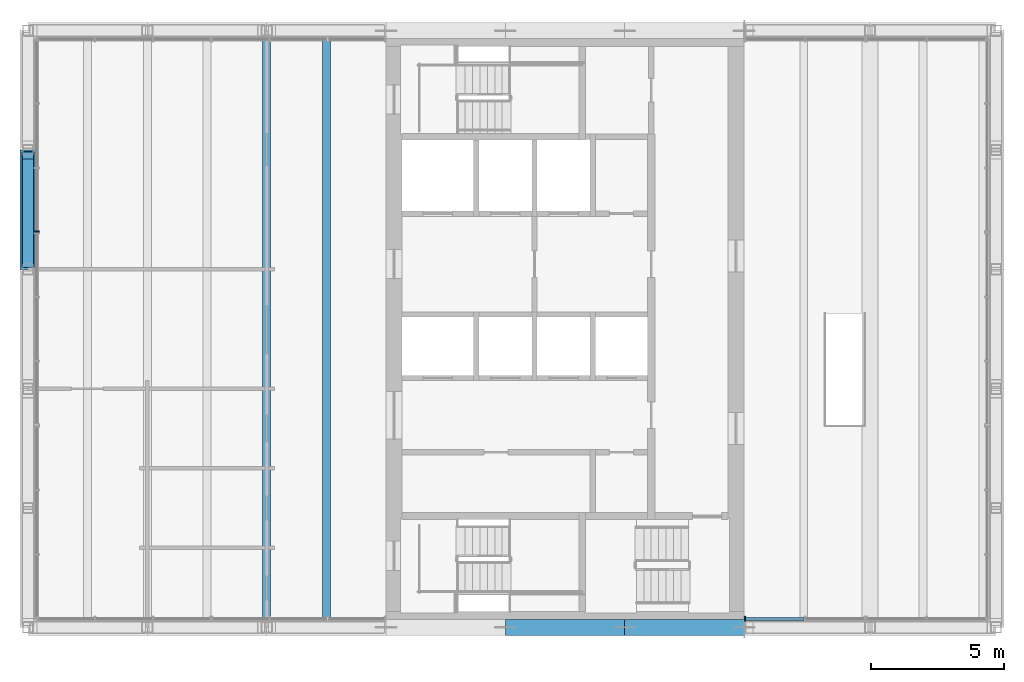
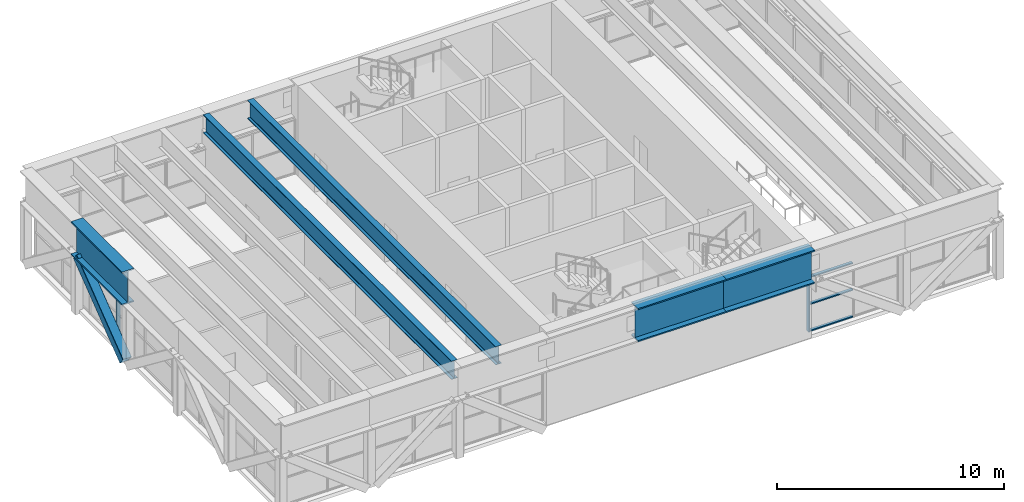
# One storey, part 2 of 12: 9 members, 2 beams, 2 elements without a shape of their own.
"""IFC4 building model written with IfcOpenShell, lengths in metres."""

from ifc_helpers import new_model, si_unit, direction, frame, origin, origin_2d, place, context, subcontext, project, spatial, rectangle, hollow_rectangle, i_section, extrude, material, material_profile, profile_set, type_object, element, aggregate, save


model = new_model("IFC4")

# Units and contexts
model_context = context("Model", 3, precision=1e-05, world=origin(), true_north=direction((0.0, 1.0)))
body_context = subcontext(model_context, "Body", "Model", "MODEL_VIEW")
ifc_project = project(units=[si_unit("LENGTHUNIT", "METRE"), si_unit("AREAUNIT", "SQUARE_METRE"), si_unit("VOLUMEUNIT", "CUBIC_METRE"), si_unit("PLANEANGLEUNIT", "RADIAN"), si_unit("MASSUNIT", "GRAM", prefix="KILO")], contexts=[model_context])

# Site, building, storey
site_placement = place(None, origin())
site = spatial("IfcSite", under=ifc_project, at=site_placement, CompositionType="ELEMENT")
building_placement = place(site_placement, origin())
building = spatial("IfcBuilding", under=site, at=building_placement, Name="Sennacour Bend Tower", CompositionType="ELEMENT")
storey_placement = place(building_placement, frame((0.0, 0.0, 350.5)))
storey = spatial("IfcBuildingStorey", under=building, at=storey_placement, Name="L80", CompositionType="ELEMENT", Elevation=350.5)

# Curtain wall, member
ifc_material_1 = material(Name="Bronze anodised aluminium curtain wall with clear glass", Category="aluminium")
curtain_wall_type = type_object("IfcCurtainWallType", Name="CURTAIN WALL LOUNGE", PredefinedType="NOTDEFINED", material=ifc_material_1)
curtain_wall_1_placement = place(storey_placement, origin())
curtain_wall_1 = element("IfcCurtainWall", 1, at=curtain_wall_1_placement, inside=storey, type_object=curtain_wall_type, Name="Sky lounge glass wall L80", PredefinedType="NOTDEFINED")
ifc_material_2 = material(Name="Aluminium 6063-T6", Category="aluminium")
ifc_material_profile_1 = material_profile(ifc_material_2, rectangle(XDim=0.199951171875, YDim=0.06005859375, at=origin_2d()), Name="Aluminium 6063-T6", Category="aluminium")
ifc_profile_set_1 = profile_set([ifc_material_profile_1], Name="Aluminium 6063-T6")
member_type_1 = type_object("IfcMemberType", Name="CW-MULLION-200X60", PredefinedType="MULLION", material=ifc_profile_set_1)
member_1_placement = place(storey_placement, frame((40.824951171875, 14.921630859375, 0.0), z_axis=(0.0, 0.0, 1.0), x_axis=(-1.0, 0.0, 0.0)))
member_1 = element("IfcMember", 2, at=member_1_placement, type_object=member_type_1, Name="GW4 curtain wall mullion 1", PredefinedType="MULLION", context=body_context, shape_type="SweptSolid", body=[
    extrude(rectangle(XDim=0.199951171875, YDim=0.06005859375, at=origin_2d()), origin(), (0.0, 0.0, 1.0), 2.9501953125),
])
aggregate(curtain_wall_1, [member_1])

# Curtain wall, members
curtain_wall_2_placement = place(storey_placement, origin())
curtain_wall_2 = element("IfcCurtainWall", 3, at=curtain_wall_2_placement, inside=storey, type_object=curtain_wall_type, Name="Sky lounge glass wall L80", PredefinedType="NOTDEFINED")
member_2_placement = place(storey_placement, frame((67.531005859375, 0.324951171875, 0.0), z_axis=(0.0, 0.0, 1.0), x_axis=(0.0, 1.0, 0.0)))
member_2 = element("IfcMember", 4, at=member_2_placement, type_object=member_type_1, Name="GW4 curtain wall mullion 1", PredefinedType="MULLION", context=body_context, shape_type="SweptSolid", body=[
    extrude(rectangle(XDim=0.199951171875, YDim=0.06005859375, at=origin_2d()), origin(), (0.0, 0.0, 1.0), 2.9501953125),
])
ifc_material_profile_2 = material_profile(ifc_material_2, rectangle(XDim=0.14990234375, YDim=0.06005859375, at=origin_2d()), Name="Aluminium 6063-T6", Category="aluminium")
ifc_profile_set_2 = profile_set([ifc_material_profile_2], Name="Aluminium 6063-T6")
member_type_2 = type_object("IfcMemberType", Name="CW-TRANSOM-150X60", PredefinedType="USERDEFINED", material=ifc_profile_set_2)
member_3_placement = place(storey_placement, frame((67.56103515625, 0.324951171875, 0.030029296875), z_axis=(1.0, 0.0, 0.0), x_axis=(0.0, 1.0, 0.0)))
member_3 = element("IfcMember", 5, at=member_3_placement, type_object=member_type_2, Name="GW4 curtain wall transom 1.1", ObjectType="TRANSOM", PredefinedType="USERDEFINED", context=body_context, shape_type="SweptSolid", body=[
    extrude(rectangle(XDim=0.14990234375, YDim=0.06005859375, at=origin_2d()), origin(), (0.0, 0.0, 1.0), 2.203369140625),
])
member_4_placement = place(storey_placement, frame((67.56103515625, 0.324951171875, 1.47509765625), z_axis=(1.0, 0.0, 0.0), x_axis=(0.0, 1.0, 0.0)))
member_4 = element("IfcMember", 6, at=member_4_placement, type_object=member_type_2, Name="GW4 curtain wall transom 1.2", ObjectType="TRANSOM", PredefinedType="USERDEFINED", context=body_context, shape_type="SweptSolid", body=[
    extrude(rectangle(XDim=0.14990234375, YDim=0.06005859375, at=origin_2d()), origin(), (0.0, 0.0, 1.0), 2.203369140625),
])
member_5_placement = place(storey_placement, frame((67.56103515625, 0.324951171875, 2.920166015625), z_axis=(1.0, 0.0, 0.0), x_axis=(0.0, 1.0, 0.0)))
member_5 = element("IfcMember", 7, at=member_5_placement, type_object=member_type_2, Name="GW4 curtain wall transom 1.3", ObjectType="TRANSOM", PredefinedType="USERDEFINED", context=body_context, shape_type="SweptSolid", body=[
    extrude(rectangle(XDim=0.14990234375, YDim=0.06005859375, at=origin_2d()), origin(), (0.0, 0.0, 1.0), 2.203369140625),
])
aggregate(curtain_wall_2, [member_2, member_3, member_4, member_5])

# Beams
ifc_material_3 = material(Name="Steel ASTM A992 Grade 50", Category="steel")
ifc_material_profile_3 = material_profile(ifc_material_3, i_section(OverallWidth=0.300048828125, OverallDepth=0.990966796875, WebThickness=0.0166015625, FlangeThickness=0.030517578125, FilletRadius=0.030029296875, at=origin_2d()), Name="Steel ASTM A992 Grade 50", Category="steel")
ifc_profile_set_3 = profile_set([ifc_material_profile_3], Name="Steel ASTM A992 Grade 50")
beam_type = type_object("IfcBeamType", Name="Floor beam W1000X272", PredefinedType="BEAM", material=ifc_profile_set_3)
for number, where, z_axis, x_axis, name in (
    (8, (49.5, 0.300048828125, 4.25439453125), (0.0, 1.0, 0.0), (-1.0, 0.0, 0.0), "Floor beam FBM3 RF-004"),
    (9, (51.75, 0.300048828125, 4.25439453125), (0.0, 1.0, 0.0), (-1.0, 0.0, 0.0), "Floor beam FBM3 RF-005"),
):
    element("IfcBeam", number, at=place(storey_placement, frame(where, z_axis=z_axis, x_axis=x_axis)), inside=storey, type_object=beam_type, Name=name, PredefinedType="BEAM", context=body_context, shape_type="SweptSolid", body=[
        extrude(i_section(OverallWidth=0.300048828125, OverallDepth=0.990966796875, WebThickness=0.0166015625, FlangeThickness=0.030517578125, FilletRadius=0.030029296875, at=origin_2d()), origin(), (0.0, 0.0, 1.0), 21.89990234375),
    ])

# Members
ifc_material_4 = material(Name="Steel ASTM A500 Grade C", Category="steel")
ifc_material_profile_4 = material_profile(ifc_material_4, hollow_rectangle(XDim=0.457275390625, YDim=0.457275390625, WallThickness=0.015869140625, InnerFilletRadius=0.015869140625, OuterFilletRadius=0.03173828125, at=origin_2d()), Name="Steel ASTM A500 Grade C", Category="steel")
ifc_profile_set_4 = profile_set([ifc_material_profile_4], Name="Steel ASTM A500 Grade C")
member_type_3 = type_object("IfcMemberType", Name="Lounge truss diagonal 457", PredefinedType="BRACE", material=ifc_profile_set_4)
member_6_placement = place(storey_placement, frame((40.5, 13.703125, -0.199951171875), z_axis=(0.0, 0.792543156862, 0.609815828354), x_axis=(-1.0, 0.0, 0.0)))
element("IfcMember", 10, at=member_6_placement, inside=storey, type_object=member_type_3, Name="Lounge truss diagonal LD L80-014", PredefinedType="BRACE", context=body_context, shape_type="SweptSolid", body=[
    extrude(hollow_rectangle(XDim=0.457275390625, YDim=0.457275390625, WallThickness=0.015869140625, InnerFilletRadius=0.015869140625, OuterFilletRadius=0.03173828125, at=origin_2d()), origin(), (0.0, 0.0, 1.0), 5.165283203125),
])
ifc_material_5 = material(Name="Steel ASTM A572 Grade 50", Category="steel")
ifc_material_profile_5 = material_profile(ifc_material_5, i_section(OverallWidth=0.60009765625, OverallDepth=1.800048828125, WebThickness=0.0400390625, FlangeThickness=0.070068359375, at=origin_2d()), Name="Steel ASTM A572 Grade 50", Category="steel")
ifc_profile_set_5 = profile_set([ifc_material_profile_5], Name="Steel ASTM A572 Grade 50")
member_type_4 = type_object("IfcMemberType", Name="Lounge truss roof chord 1800", PredefinedType="CHORD", material=ifc_profile_set_5)
for number, where, z_axis, x_axis, name in (
    (11, (58.5, 0.0, 3.85009765625), (1.0, 0.0, 0.0), (0.0, 1.0, 0.0), "Lounge truss chord LR RF-005"),
    (12, (63.0, 0.0, 3.85009765625), (1.0, 0.0, 0.0), (0.0, 1.0, 0.0), "Lounge truss chord LR RF-006"),
    (13, (40.5, 13.5, 3.85009765625), (0.0, 1.0, 0.0), (-1.0, 0.0, 0.0), "Lounge truss chord LR RF-020"),
):
    element("IfcMember", number, at=place(storey_placement, frame(where, z_axis=z_axis, x_axis=x_axis)), inside=storey, type_object=member_type_4, Name=name, PredefinedType="CHORD", context=body_context, shape_type="SweptSolid", body=[
        extrude(i_section(OverallWidth=0.60009765625, OverallDepth=1.800048828125, WebThickness=0.0400390625, FlangeThickness=0.070068359375, at=origin_2d()), origin(), (0.0, 0.0, 1.0), 4.5),
    ])

save(model, "model.ifc")
